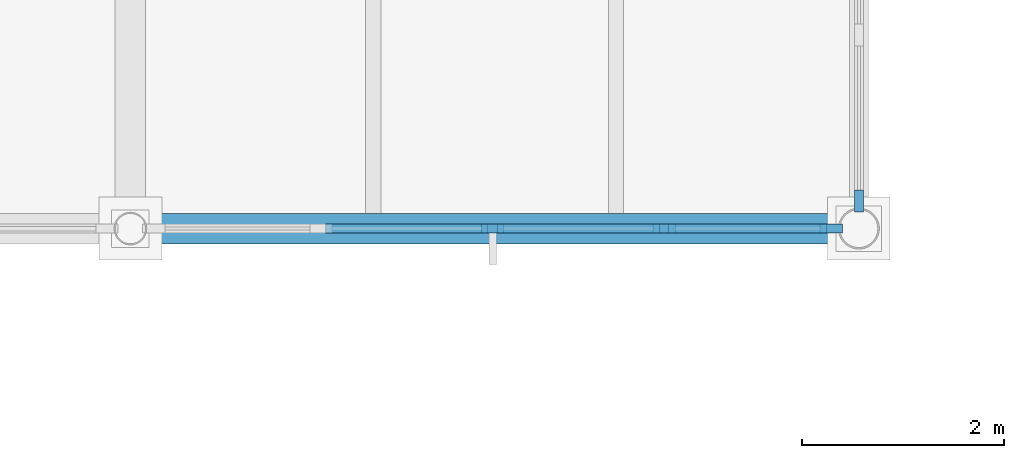
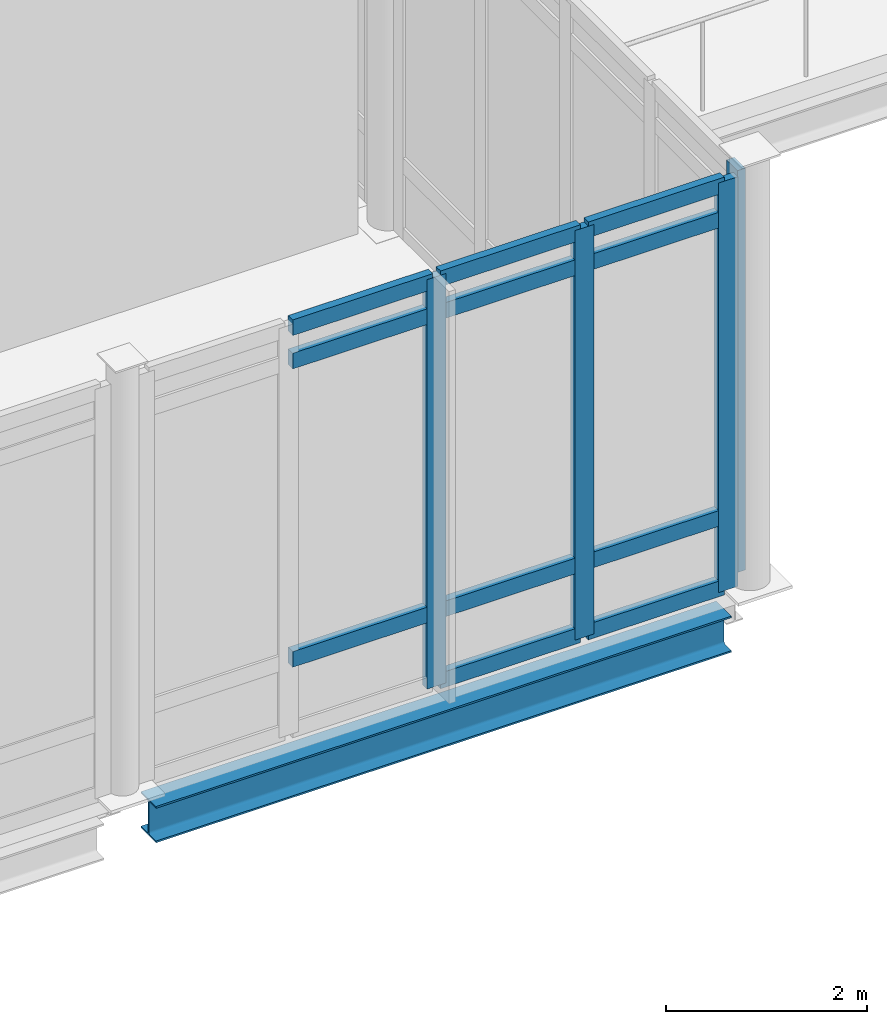
# One storey, part 24 of 89: 15 members, 1 beam, 2 elements without a shape of their own.
"""IFC4 building model written with IfcOpenShell, lengths in metres."""

from ifc_helpers import new_model, si_unit, direction, frame, origin, origin_2d, place, context, subcontext, project, spatial, rectangle, i_section, extrude, material, layer, layer_set, material_profile, profile_set, type_object, element, aggregate, save


model = new_model("IFC4")

# Units and contexts
model_context = context("Model", 3, precision=1e-05, world=origin(), true_north=direction((0.0, 1.0)))
body_context = subcontext(model_context, "Body", "Model", "MODEL_VIEW")
ifc_project = project(units=[si_unit("LENGTHUNIT", "METRE"), si_unit("AREAUNIT", "SQUARE_METRE"), si_unit("VOLUMEUNIT", "CUBIC_METRE"), si_unit("PLANEANGLEUNIT", "RADIAN"), si_unit("MASSUNIT", "GRAM", prefix="KILO")], contexts=[model_context])

# Site, building, storey
site_placement = place(None, origin())
site = spatial("IfcSite", under=ifc_project, at=site_placement, CompositionType="ELEMENT")
building_placement = place(site_placement, origin())
building = spatial("IfcBuilding", under=site, at=building_placement, Name="Zarrinpeak Specialist Clinic", CompositionType="ELEMENT")
storey_placement = place(building_placement, origin())
storey = spatial("IfcBuildingStorey", under=building, at=storey_placement, Name="L00", CompositionType="ELEMENT", Elevation=0.0)

# Beam
ifc_material_1 = material(Name="Steel S355", Category="steel")
ifc_material_profile_1 = material_profile(ifc_material_1, i_section(OverallWidth=0.300048828125, OverallDepth=0.43994140625, WebThickness=0.011474609375, FlangeThickness=0.02099609375, FilletRadius=0.027099609375, at=origin_2d()), Name="HEA 450")
ifc_profile_set_1 = profile_set([ifc_material_profile_1], Name="Steel S355")
beam_type = type_object("IfcBeamType", Name="BM-HEA450", PredefinedType="BEAM", material=ifc_profile_set_1)
beam_placement = place(storey_placement, frame((115.498046875, 28.800048828125, -0.469970703125), z_axis=(1.0, 0.0, 0.0), x_axis=(0.0, 1.0, 0.0)))
element("IfcBeam", 1, at=beam_placement, inside=storey, type_object=beam_type, Name="L00 Primary Floor Girder BM-L00-X0055", PredefinedType="BEAM", context=body_context, shape_type="SweptSolid", body=[
    extrude(i_section(OverallWidth=0.300048828125, OverallDepth=0.43994140625, WebThickness=0.011474609375, FlangeThickness=0.02099609375, FilletRadius=0.027099609375, at=origin_2d()), origin(), (0.0, 0.0, 1.0), 6.60400390625),
])

# Curtain wall, members
ifc_material_2 = material(Name="Anodised Aluminium Alloy 6063-T6", Category="aluminium")
ifc_layer = layer(ifc_material_2, 0.199951171875)
ifc_layer_set = layer_set([ifc_layer], Name="Anodised Aluminium Alloy 6063-T6")
curtain_wall_type = type_object("IfcCurtainWallType", Name="CW-HALL", PredefinedType="NOTDEFINED", material=ifc_layer_set)
curtain_wall_1_placement = place(storey_placement, origin())
curtain_wall_1 = element("IfcCurtainWall", 2, at=curtain_wall_1_placement, inside=storey, type_object=curtain_wall_type, Name="L00 V3 Unitised Curtain Wall CW-L00-V3-082", PredefinedType="NOTDEFINED")
ifc_material_profile_2 = material_profile(ifc_material_2, rectangle(XDim=0.090087890625, YDim=0.219970703125, at=origin_2d()), Name="ALU 90x220")
ifc_profile_set_2 = profile_set([ifc_material_profile_2], Name="Anodised Aluminium Alloy 6063-T6")
member_type_1 = type_object("IfcMemberType", Name="CWM-90", PredefinedType="MULLION", material=ifc_profile_set_2)
member_1_placement = place(storey_placement, frame((118.779296875, 28.800048828125, 0.0), z_axis=(0.0, 0.0, 1.0), x_axis=(0.0, 1.0, 0.0)))
member_1 = element("IfcMember", 3, at=member_1_placement, type_object=member_type_1, Name="CW-02 mullion 3", PredefinedType="MULLION", context=body_context, shape_type="SweptSolid", body=[
    extrude(rectangle(XDim=0.090087890625, YDim=0.219970703125, at=origin_2d()), origin(), (0.0, 0.0, 1.0), 4.969970703125),
])
member_2_placement = place(storey_placement, frame((120.4755859375, 28.800048828125, 0.0), z_axis=(0.0, 0.0, 1.0), x_axis=(0.0, 1.0, 0.0)))
member_2 = element("IfcMember", 4, at=member_2_placement, type_object=member_type_1, Name="CW-02 mullion 4", PredefinedType="MULLION", context=body_context, shape_type="SweptSolid", body=[
    extrude(rectangle(XDim=0.090087890625, YDim=0.219970703125, at=origin_2d()), origin(), (0.0, 0.0, 1.0), 4.969970703125),
])
member_3_placement = place(storey_placement, frame((122.126708984375, 28.800048828125, 0.0), z_axis=(0.0, 0.0, 1.0), x_axis=(0.0, 1.0, 0.0)))
member_3 = element("IfcMember", 5, at=member_3_placement, type_object=member_type_1, Name="CW-02 mullion 5", PredefinedType="MULLION", context=body_context, shape_type="SweptSolid", body=[
    extrude(rectangle(XDim=0.090087890625, YDim=0.219970703125, at=origin_2d()), origin(), (0.0, 0.0, 1.0), 4.969970703125),
])

# Curtain wall, member
curtain_wall_2_placement = place(storey_placement, origin())
curtain_wall_2 = element("IfcCurtainWall", 6, at=curtain_wall_2_placement, inside=storey, type_object=curtain_wall_type, Name="L00 V3 Unitised Curtain Wall CW-L00-V3-091", PredefinedType="NOTDEFINED")
member_4_placement = place(storey_placement, frame((122.39990234375, 29.0732421875, 0.0), z_axis=(0.0, 0.0, 1.0), x_axis=(-1.0, 0.0, 0.0)))
member_4 = element("IfcMember", 7, at=member_4_placement, type_object=member_type_1, Name="CW-02 mullion 1", PredefinedType="MULLION", context=body_context, shape_type="SweptSolid", body=[
    extrude(rectangle(XDim=0.090087890625, YDim=0.219970703125, at=origin_2d()), origin(), (0.0, 0.0, 1.0), 4.875),
])
aggregate(curtain_wall_2, [member_4])

# Member
ifc_material_profile_3 = material_profile(ifc_material_2, rectangle(XDim=0.090087890625, YDim=0.18994140625, at=origin_2d()), Name="ALU 90x190")
ifc_profile_set_3 = profile_set([ifc_material_profile_3], Name="Anodised Aluminium Alloy 6063-T6")
member_type_2 = type_object("IfcMemberType", Name="CWT-90", PredefinedType="USERDEFINED", material=ifc_profile_set_3)
member_5_placement = place(storey_placement, frame((117.128173828125, 28.800048828125, 0.89990234375), z_axis=(1.0, 0.0, 0.0), x_axis=(0.0, 1.0, 0.0)))
member_5 = element("IfcMember", 8, at=member_5_placement, type_object=member_type_2, Name="CW-02 transom 2.2", ObjectType="TRANSOM", PredefinedType="USERDEFINED", context=body_context, shape_type="SweptSolid", body=[
    extrude(rectangle(XDim=0.090087890625, YDim=0.18994140625, at=origin_2d()), origin(), (0.0, 0.0, 1.0), 1.606201171875),
])

member_6_placement = place(storey_placement, frame((117.128173828125, 28.800048828125, 4.52001953125), z_axis=(1.0, 0.0, 0.0), x_axis=(0.0, 1.0, 0.0)))
member_6 = element("IfcMember", 9, at=member_6_placement, type_object=member_type_2, Name="CW-02 transom 2.3", ObjectType="TRANSOM", PredefinedType="USERDEFINED", context=body_context, shape_type="SweptSolid", body=[
    extrude(rectangle(XDim=0.090087890625, YDim=0.18994140625, at=origin_2d()), origin(), (0.0, 0.0, 1.0), 1.606201171875),
])

member_7_placement = place(storey_placement, frame((117.128173828125, 28.800048828125, 4.925048828125), z_axis=(1.0, 0.0, 0.0), x_axis=(0.0, 1.0, 0.0)))
member_7 = element("IfcMember", 10, at=member_7_placement, type_object=member_type_2, Name="CW-02 transom 2.4", ObjectType="TRANSOM", PredefinedType="USERDEFINED", context=body_context, shape_type="SweptSolid", body=[
    extrude(rectangle(XDim=0.090087890625, YDim=0.18994140625, at=origin_2d()), origin(), (0.0, 0.0, 1.0), 1.606201171875),
])

member_8_placement = place(storey_placement, frame((118.824462890625, 28.800048828125, 0.044921875), z_axis=(1.0, 0.0, 0.0), x_axis=(0.0, 1.0, 0.0)))
member_8 = element("IfcMember", 11, at=member_8_placement, type_object=member_type_2, Name="CW-02 transom 3.1", ObjectType="TRANSOM", PredefinedType="USERDEFINED", context=body_context, shape_type="SweptSolid", body=[
    extrude(rectangle(XDim=0.090087890625, YDim=0.18994140625, at=origin_2d()), origin(), (0.0, 0.0, 1.0), 1.606201171875),
])

member_9_placement = place(storey_placement, frame((118.824462890625, 28.800048828125, 0.89990234375), z_axis=(1.0, 0.0, 0.0), x_axis=(0.0, 1.0, 0.0)))
member_9 = element("IfcMember", 12, at=member_9_placement, type_object=member_type_2, Name="CW-02 transom 3.2", ObjectType="TRANSOM", PredefinedType="USERDEFINED", context=body_context, shape_type="SweptSolid", body=[
    extrude(rectangle(XDim=0.090087890625, YDim=0.18994140625, at=origin_2d()), origin(), (0.0, 0.0, 1.0), 1.606201171875),
])

member_10_placement = place(storey_placement, frame((118.824462890625, 28.800048828125, 4.52001953125), z_axis=(1.0, 0.0, 0.0), x_axis=(0.0, 1.0, 0.0)))
member_10 = element("IfcMember", 13, at=member_10_placement, type_object=member_type_2, Name="CW-02 transom 3.3", ObjectType="TRANSOM", PredefinedType="USERDEFINED", context=body_context, shape_type="SweptSolid", body=[
    extrude(rectangle(XDim=0.090087890625, YDim=0.18994140625, at=origin_2d()), origin(), (0.0, 0.0, 1.0), 1.606201171875),
])

member_11_placement = place(storey_placement, frame((118.824462890625, 28.800048828125, 4.925048828125), z_axis=(1.0, 0.0, 0.0), x_axis=(0.0, 1.0, 0.0)))
member_11 = element("IfcMember", 14, at=member_11_placement, type_object=member_type_2, Name="CW-02 transom 3.4", ObjectType="TRANSOM", PredefinedType="USERDEFINED", context=body_context, shape_type="SweptSolid", body=[
    extrude(rectangle(XDim=0.090087890625, YDim=0.18994140625, at=origin_2d()), origin(), (0.0, 0.0, 1.0), 1.606201171875),
])

member_12_placement = place(storey_placement, frame((120.5205078125, 28.800048828125, 0.044921875), z_axis=(1.0, 0.0, 0.0), x_axis=(0.0, 1.0, 0.0)))
member_12 = element("IfcMember", 15, at=member_12_placement, type_object=member_type_2, Name="CW-02 transom 4.1", ObjectType="TRANSOM", PredefinedType="USERDEFINED", context=body_context, shape_type="SweptSolid", body=[
    extrude(rectangle(XDim=0.090087890625, YDim=0.18994140625, at=origin_2d()), origin(), (0.0, 0.0, 1.0), 1.561279296875),
])

member_13_placement = place(storey_placement, frame((120.5205078125, 28.800048828125, 0.89990234375), z_axis=(1.0, 0.0, 0.0), x_axis=(0.0, 1.0, 0.0)))
member_13 = element("IfcMember", 16, at=member_13_placement, type_object=member_type_2, Name="CW-02 transom 4.2", ObjectType="TRANSOM", PredefinedType="USERDEFINED", context=body_context, shape_type="SweptSolid", body=[
    extrude(rectangle(XDim=0.090087890625, YDim=0.18994140625, at=origin_2d()), origin(), (0.0, 0.0, 1.0), 1.561279296875),
])

member_14_placement = place(storey_placement, frame((120.5205078125, 28.800048828125, 4.52001953125), z_axis=(1.0, 0.0, 0.0), x_axis=(0.0, 1.0, 0.0)))
member_14 = element("IfcMember", 17, at=member_14_placement, type_object=member_type_2, Name="CW-02 transom 4.3", ObjectType="TRANSOM", PredefinedType="USERDEFINED", context=body_context, shape_type="SweptSolid", body=[
    extrude(rectangle(XDim=0.090087890625, YDim=0.18994140625, at=origin_2d()), origin(), (0.0, 0.0, 1.0), 1.561279296875),
])

member_15_placement = place(storey_placement, frame((120.5205078125, 28.800048828125, 4.925048828125), z_axis=(1.0, 0.0, 0.0), x_axis=(0.0, 1.0, 0.0)))
member_15 = element("IfcMember", 18, at=member_15_placement, type_object=member_type_2, Name="CW-02 transom 4.4", ObjectType="TRANSOM", PredefinedType="USERDEFINED", context=body_context, shape_type="SweptSolid", body=[
    extrude(rectangle(XDim=0.090087890625, YDim=0.18994140625, at=origin_2d()), origin(), (0.0, 0.0, 1.0), 1.561279296875),
])

aggregate(curtain_wall_1, [member_1, member_2, member_3, member_5, member_6, member_7, member_8, member_9, member_10, member_11, member_12, member_13, member_14, member_15])

save(model, "model.ifc")
